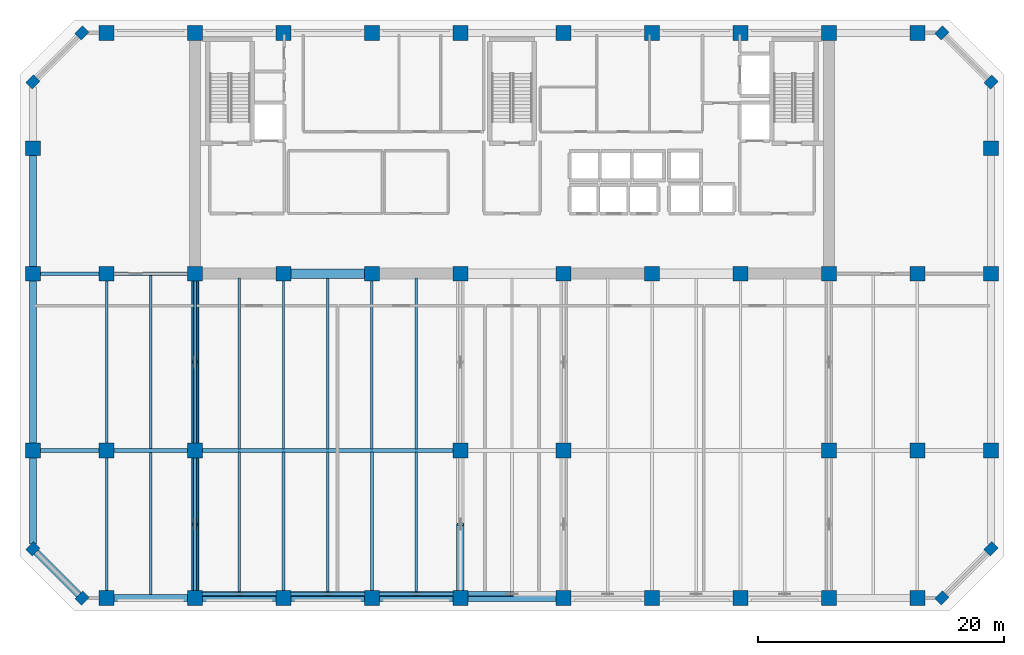
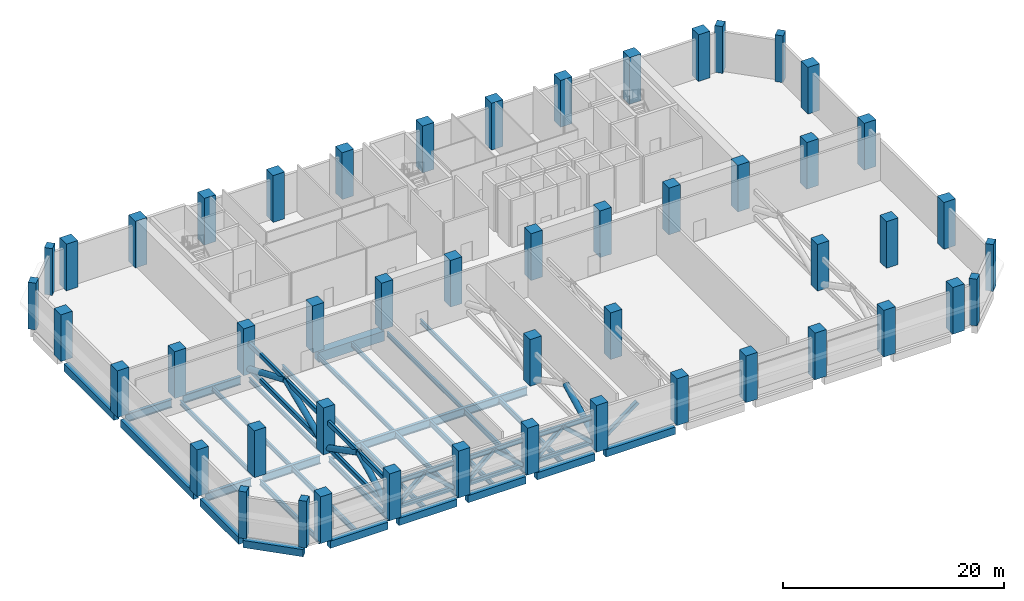
# One storey, part 1 of 13: 50 columns, 31 beams, 22 members.
"""IFC4 building model written with IfcOpenShell, lengths in metres."""

from ifc_helpers import new_model, si_unit, direction, frame, origin, origin_2d, place, context, subcontext, project, spatial, rectangle, hollow_rectangle, hollow_circle, i_section, extrude, material, material_profile, profile_set, type_object, element, save


model = new_model("IFC4")

# Units and contexts
model_context = context("Model", 3, precision=1e-05, world=origin(), true_north=direction((0.0, 1.0)))
body_context = subcontext(model_context, "Body", "Model", "MODEL_VIEW")
ifc_project = project(units=[si_unit("LENGTHUNIT", "METRE"), si_unit("AREAUNIT", "SQUARE_METRE"), si_unit("VOLUMEUNIT", "CUBIC_METRE"), si_unit("PLANEANGLEUNIT", "RADIAN"), si_unit("MASSUNIT", "GRAM", prefix="KILO")], contexts=[model_context])

# Site, building, storey
site_placement = place(None, origin())
site = spatial("IfcSite", under=ifc_project, at=site_placement, CompositionType="ELEMENT")
building_placement = place(site_placement, origin())
building = spatial("IfcBuilding", under=site, at=building_placement, Name="Kaelvorn Grand Hotel", CompositionType="ELEMENT")
storey_placement = place(building_placement, frame((0.0, 0.0, 184.75)))
storey = spatial("IfcBuildingStorey", under=building, at=storey_placement, Name="L45", CompositionType="ELEMENT", Elevation=184.75)

# Columns
ifc_material_1 = material(Name="Concrete C60/75", Category="concrete")
ifc_material_profile_1 = material_profile(ifc_material_1, rectangle(XDim=0.89990234375, YDim=0.75, at=origin_2d()), Name="RC PILASTER 900x750")
ifc_profile_set_1 = profile_set([ifc_material_profile_1], Name="Concrete C60/75")
column_type_1 = type_object("IfcColumnType", Name="COL-PIL-900x750-C60", PredefinedType="PILASTER", material=ifc_profile_set_1)
for number, where, z_axis, x_axis, name in (
    (1, (7.0, 3.0, 0.0), (0.0, 0.0, 1.0), (0.707106781187, 0.707106781187, 0.0), "L45 Structural Column CH-01"),
    (2, (77.0, 3.0, 0.0), (0.0, 0.0, 1.0), (0.707106781187, 0.707106781187, 0.0), "L45 Structural Column CH-02"),
    (3, (81.0, 7.0, 0.0), (0.0, 0.0, 1.0), (0.707106781187, 0.707106781187, 0.0), "L45 Structural Column CH-03"),
    (4, (81.0, 45.0, 0.0), (0.0, 0.0, 1.0), (0.707106781187, 0.707106781187, 0.0), "L45 Structural Column CH-04"),
    (5, (77.0, 49.0, 0.0), (0.0, 0.0, 1.0), (0.707106781187, 0.707106781187, 0.0), "L45 Structural Column CH-05"),
    (6, (7.0, 49.0, 0.0), (0.0, 0.0, 1.0), (0.707106781187, 0.707106781187, 0.0), "L45 Structural Column CH-06"),
    (7, (3.0, 45.0, 0.0), (0.0, 0.0, 1.0), (0.707106781187, 0.707106781187, 0.0), "L45 Structural Column CH-07"),
    (8, (3.0, 7.0, 0.0), (0.0, 0.0, 1.0), (0.707106781187, 0.707106781187, 0.0), "L45 Structural Column CH-08"),
):
    element("IfcColumn", number, at=place(storey_placement, frame(where, z_axis=z_axis, x_axis=x_axis)), inside=storey, type_object=column_type_1, Name=name, PredefinedType="PILASTER", context=body_context, shape_type="SweptSolid", body=[
        extrude(rectangle(XDim=0.89990234375, YDim=0.75, at=origin_2d()), origin(), (0.0, 0.0, 1.0), 5.159912109375),
    ])
ifc_material_profile_2 = material_profile(ifc_material_1, rectangle(XDim=1.199951171875, YDim=1.199951171875, at=origin_2d()), Name="RC COL 1200x1200")
ifc_profile_set_2 = profile_set([ifc_material_profile_2], Name="Concrete C60/75")
column_type_2 = type_object("IfcColumnType", Name="COL-RC-1200-C60", PredefinedType="COLUMN", material=ifc_profile_set_2)
for number, where, z_axis, x_axis, name in (
    (9, (9.0, 3.0, 0.0), (0.0, 0.0, 1.0), (1.0, 0.0, 0.0), "L45 Structural Column S-01"),
    (10, (16.199951171875, 3.0, 0.0), (0.0, 0.0, 1.0), (1.0, 0.0, 0.0), "L45 Structural Column S-02"),
    (11, (23.39990234375, 3.0, 0.0), (0.0, 0.0, 1.0), (1.0, 0.0, 0.0), "L45 Structural Column S-03"),
    (12, (30.60009765625, 3.0, 0.0), (0.0, 0.0, 1.0), (1.0, 0.0, 0.0), "L45 Structural Column S-04"),
    (13, (37.800048828125, 3.0, 0.0), (0.0, 0.0, 1.0), (1.0, 0.0, 0.0), "L45 Structural Column S-05"),
    (14, (46.199951171875, 3.0, 0.0), (0.0, 0.0, 1.0), (1.0, 0.0, 0.0), "L45 Structural Column S-06"),
    (15, (53.39990234375, 3.0, 0.0), (0.0, 0.0, 1.0), (1.0, 0.0, 0.0), "L45 Structural Column S-07"),
    (16, (60.60009765625, 3.0, 0.0), (0.0, 0.0, 1.0), (1.0, 0.0, 0.0), "L45 Structural Column S-08"),
    (17, (67.800048828125, 3.0, 0.0), (0.0, 0.0, 1.0), (1.0, 0.0, 0.0), "L45 Structural Column S-09"),
    (18, (75.0, 3.0, 0.0), (0.0, 0.0, 1.0), (1.0, 0.0, 0.0), "L45 Structural Column S-10"),
    (19, (3.0, 15.0, 0.0), (0.0, 0.0, 1.0), (1.0, 0.0, 0.0), "L45 Structural Column W-01"),
    (20, (81.0, 15.0, 0.0), (0.0, 0.0, 1.0), (1.0, 0.0, 0.0), "L45 Structural Column E-01"),
    (21, (3.0, 29.39990234375, 0.0), (0.0, 0.0, 1.0), (1.0, 0.0, 0.0), "L45 Structural Column W-02"),
    (22, (81.0, 29.39990234375, 0.0), (0.0, 0.0, 1.0), (1.0, 0.0, 0.0), "L45 Structural Column E-02"),
    (23, (3.0, 39.60009765625, 0.0), (0.0, 0.0, 1.0), (1.0, 0.0, 0.0), "L45 Structural Column W-03"),
    (24, (81.0, 39.60009765625, 0.0), (0.0, 0.0, 1.0), (1.0, 0.0, 0.0), "L45 Structural Column E-03"),
    (25, (9.0, 15.0, 0.0), (0.0, 0.0, 1.0), (1.0, 0.0, 0.0), "L45 Structural Column M-01"),
    (26, (16.199951171875, 15.0, 0.0), (0.0, 0.0, 1.0), (1.0, 0.0, 0.0), "L45 Structural Column M-02"),
    (27, (37.800048828125, 15.0, 0.0), (0.0, 0.0, 1.0), (1.0, 0.0, 0.0), "L45 Structural Column M-03"),
    (28, (46.199951171875, 15.0, 0.0), (0.0, 0.0, 1.0), (1.0, 0.0, 0.0), "L45 Structural Column M-04"),
    (29, (67.800048828125, 15.0, 0.0), (0.0, 0.0, 1.0), (1.0, 0.0, 0.0), "L45 Structural Column M-05"),
    (30, (75.0, 15.0, 0.0), (0.0, 0.0, 1.0), (1.0, 0.0, 0.0), "L45 Structural Column M-06"),
    (31, (9.0, 29.39990234375, 0.0), (0.0, 0.0, 1.0), (1.0, 0.0, 0.0), "L45 Structural Column CR1-01"),
    (32, (9.0, 49.0, 0.0), (0.0, 0.0, 1.0), (1.0, 0.0, 0.0), "L45 Structural Column CR2-01"),
    (33, (16.199951171875, 29.39990234375, 0.0), (0.0, 0.0, 1.0), (1.0, 0.0, 0.0), "L45 Structural Column CR1-02"),
    (34, (16.199951171875, 49.0, 0.0), (0.0, 0.0, 1.0), (1.0, 0.0, 0.0), "L45 Structural Column CR2-02"),
    (35, (23.39990234375, 29.39990234375, 0.0), (0.0, 0.0, 1.0), (1.0, 0.0, 0.0), "L45 Structural Column CR1-03"),
    (36, (23.39990234375, 49.0, 0.0), (0.0, 0.0, 1.0), (1.0, 0.0, 0.0), "L45 Structural Column CR2-03"),
    (37, (30.60009765625, 29.39990234375, 0.0), (0.0, 0.0, 1.0), (1.0, 0.0, 0.0), "L45 Structural Column CR1-04"),
    (38, (30.60009765625, 49.0, 0.0), (0.0, 0.0, 1.0), (1.0, 0.0, 0.0), "L45 Structural Column CR2-04"),
    (39, (37.800048828125, 29.39990234375, 0.0), (0.0, 0.0, 1.0), (1.0, 0.0, 0.0), "L45 Structural Column CR1-05"),
    (40, (37.800048828125, 49.0, 0.0), (0.0, 0.0, 1.0), (1.0, 0.0, 0.0), "L45 Structural Column CR2-05"),
    (41, (46.199951171875, 29.39990234375, 0.0), (0.0, 0.0, 1.0), (1.0, 0.0, 0.0), "L45 Structural Column CR1-06"),
    (42, (46.199951171875, 49.0, 0.0), (0.0, 0.0, 1.0), (1.0, 0.0, 0.0), "L45 Structural Column CR2-06"),
    (43, (53.39990234375, 29.39990234375, 0.0), (0.0, 0.0, 1.0), (1.0, 0.0, 0.0), "L45 Structural Column CR1-07"),
    (44, (53.39990234375, 49.0, 0.0), (0.0, 0.0, 1.0), (1.0, 0.0, 0.0), "L45 Structural Column CR2-07"),
    (45, (60.60009765625, 29.39990234375, 0.0), (0.0, 0.0, 1.0), (1.0, 0.0, 0.0), "L45 Structural Column CR1-08"),
    (46, (60.60009765625, 49.0, 0.0), (0.0, 0.0, 1.0), (1.0, 0.0, 0.0), "L45 Structural Column CR2-08"),
    (47, (67.800048828125, 29.39990234375, 0.0), (0.0, 0.0, 1.0), (1.0, 0.0, 0.0), "L45 Structural Column CR1-09"),
    (48, (67.800048828125, 49.0, 0.0), (0.0, 0.0, 1.0), (1.0, 0.0, 0.0), "L45 Structural Column CR2-09"),
    (49, (75.0, 29.39990234375, 0.0), (0.0, 0.0, 1.0), (1.0, 0.0, 0.0), "L45 Structural Column CR1-10"),
    (50, (75.0, 49.0, 0.0), (0.0, 0.0, 1.0), (1.0, 0.0, 0.0), "L45 Structural Column CR2-10"),
):
    element("IfcColumn", number, at=place(storey_placement, frame(where, z_axis=z_axis, x_axis=x_axis)), inside=storey, type_object=column_type_2, Name=name, PredefinedType="COLUMN", context=body_context, shape_type="SweptSolid", body=[
        extrude(rectangle(XDim=1.199951171875, YDim=1.199951171875, at=origin_2d()), origin(), (0.0, 0.0, 1.0), 5.159912109375),
    ])

# Beams
ifc_material_2 = material(Name="Steel S460", Category="steel")
ifc_material_profile_3 = material_profile(ifc_material_2, i_section(OverallWidth=0.302001953125, OverallDepth=0.909912109375, WebThickness=0.02099609375, FlangeThickness=0.0400390625, FilletRadius=0.030029296875, at=origin_2d()), Name="HEM 900")
ifc_profile_set_3 = profile_set([ifc_material_profile_3], Name="Steel S460")
beam_type_1 = type_object("IfcBeamType", Name="BM-G-HEM900-S460", PredefinedType="BEAM", material=ifc_profile_set_3)
beam_1_placement = place(storey_placement, frame((3.5849609375, 15.0, -0.804931640625), z_axis=(1.0, 0.0, 0.0), x_axis=(0.0, 1.0, 0.0)))
element("IfcBeam", 51, at=beam_1_placement, inside=storey, type_object=beam_type_1, Name="L45 Primary Spine Steel Girder G-15 01", PredefinedType="BEAM", context=body_context, shape_type="SweptSolid", body=[
    extrude(i_section(OverallWidth=0.302001953125, OverallDepth=0.909912109375, WebThickness=0.02099609375, FlangeThickness=0.0400390625, FilletRadius=0.030029296875, at=origin_2d()), origin(), (0.0, 0.0, 1.0), 4.830078125),
])
beam_2_placement = place(storey_placement, frame((9.5849609375, 15.0, -0.804931640625), z_axis=(1.0, 0.0, 0.0), x_axis=(0.0, 1.0, 0.0)))
element("IfcBeam", 52, at=beam_2_placement, inside=storey, type_object=beam_type_1, Name="L45 Primary Spine Steel Girder G-15 02", PredefinedType="BEAM", context=body_context, shape_type="SweptSolid", body=[
    extrude(i_section(OverallWidth=0.302001953125, OverallDepth=0.909912109375, WebThickness=0.02099609375, FlangeThickness=0.0400390625, FilletRadius=0.030029296875, at=origin_2d()), origin(), (0.0, 0.0, 1.0), 6.030029296875),
])
beam_3_placement = place(storey_placement, frame((16.784912109375, 15.0, -0.804931640625), z_axis=(1.0, 0.0, 0.0), x_axis=(0.0, 1.0, 0.0)))
element("IfcBeam", 53, at=beam_3_placement, inside=storey, type_object=beam_type_1, Name="L45 Primary Spine Steel Girder G-15 03", PredefinedType="BEAM", context=body_context, shape_type="SweptSolid", body=[
    extrude(i_section(OverallWidth=0.302001953125, OverallDepth=0.909912109375, WebThickness=0.02099609375, FlangeThickness=0.0400390625, FilletRadius=0.030029296875, at=origin_2d()), origin(), (0.0, 0.0, 1.0), 20.43017578125),
])
beam_4_placement = place(storey_placement, frame((3.5849609375, 29.39990234375, -0.804931640625), z_axis=(1.0, 0.0, 0.0), x_axis=(0.0, 1.0, 0.0)))
element("IfcBeam", 54, at=beam_4_placement, inside=storey, type_object=beam_type_1, Name="L45 West Core Wing Steel Girder G-29W 01", PredefinedType="BEAM", context=body_context, shape_type="SweptSolid", body=[
    extrude(i_section(OverallWidth=0.302001953125, OverallDepth=0.909912109375, WebThickness=0.02099609375, FlangeThickness=0.0400390625, FilletRadius=0.030029296875, at=origin_2d()), origin(), (0.0, 0.0, 1.0), 4.830078125),
])
beam_5_placement = place(storey_placement, frame((9.5849609375, 29.39990234375, -0.804931640625), z_axis=(1.0, 0.0, 0.0), x_axis=(0.0, 1.0, 0.0)))
element("IfcBeam", 55, at=beam_5_placement, inside=storey, type_object=beam_type_1, Name="L45 West Core Wing Steel Girder G-29W 02", PredefinedType="BEAM", context=body_context, shape_type="SweptSolid", body=[
    extrude(i_section(OverallWidth=0.302001953125, OverallDepth=0.909912109375, WebThickness=0.02099609375, FlangeThickness=0.0400390625, FilletRadius=0.030029296875, at=origin_2d()), origin(), (0.0, 0.0, 1.0), 6.030029296875),
])
ifc_material_3 = material(Name="Steel S355", Category="steel")
ifc_material_profile_4 = material_profile(ifc_material_3, i_section(OverallWidth=0.199951171875, OverallDepth=0.5, WebThickness=0.01025390625, FlangeThickness=0.01611328125, FilletRadius=0.02099609375, at=origin_2d()), Name="IPE 500")
ifc_profile_set_4 = profile_set([ifc_material_profile_4], Name="Steel S355")
beam_type_2 = type_object("IfcBeamType", Name="BM-J-IPE500-S355", PredefinedType="JOIST", material=ifc_profile_set_4)
beam_6_placement = place(storey_placement, frame((9.0, 15.5849609375, -0.60009765625), z_axis=(0.0, 1.0, 0.0), x_axis=(-1.0, 0.0, 0.0)))
element("IfcBeam", 56, at=beam_6_placement, inside=storey, type_object=beam_type_2, Name="L45 Composite Floor Joist JM-03", PredefinedType="JOIST", context=body_context, shape_type="SweptSolid", body=[
    extrude(i_section(OverallWidth=0.199951171875, OverallDepth=0.5, WebThickness=0.01025390625, FlangeThickness=0.01611328125, FilletRadius=0.02099609375, at=origin_2d()), origin(), (0.0, 0.0, 1.0), 13.22998046875),
])
beam_7_placement = place(storey_placement, frame((12.60009765625, 15.135986328125, -0.60009765625), z_axis=(0.0, 1.0, 0.0), x_axis=(-1.0, 0.0, 0.0)))
element("IfcBeam", 57, at=beam_7_placement, inside=storey, type_object=beam_type_2, Name="L45 Composite Floor Joist JM-04", PredefinedType="JOIST", context=body_context, shape_type="SweptSolid", body=[
    extrude(i_section(OverallWidth=0.199951171875, OverallDepth=0.5, WebThickness=0.01025390625, FlangeThickness=0.01611328125, FilletRadius=0.02099609375, at=origin_2d()), origin(), (0.0, 0.0, 1.0), 14.1279296875),
])
beam_8_placement = place(storey_placement, frame((16.199951171875, 15.5849609375, -0.60009765625), z_axis=(0.0, 1.0, 0.0), x_axis=(-1.0, 0.0, 0.0)))
element("IfcBeam", 58, at=beam_8_placement, inside=storey, type_object=beam_type_2, Name="L45 Composite Floor Joist JM-05", PredefinedType="JOIST", context=body_context, shape_type="SweptSolid", body=[
    extrude(i_section(OverallWidth=0.199951171875, OverallDepth=0.5, WebThickness=0.01025390625, FlangeThickness=0.01611328125, FilletRadius=0.02099609375, at=origin_2d()), origin(), (0.0, 0.0, 1.0), 13.22998046875),
])
beam_9_placement = place(storey_placement, frame((19.800048828125, 15.135986328125, -0.60009765625), z_axis=(0.0, 1.0, 0.0), x_axis=(-1.0, 0.0, 0.0)))
element("IfcBeam", 59, at=beam_9_placement, inside=storey, type_object=beam_type_2, Name="L45 Composite Floor Joist JM-06", PredefinedType="JOIST", context=body_context, shape_type="SweptSolid", body=[
    extrude(i_section(OverallWidth=0.199951171875, OverallDepth=0.5, WebThickness=0.01025390625, FlangeThickness=0.01611328125, FilletRadius=0.02099609375, at=origin_2d()), origin(), (0.0, 0.0, 1.0), 13.924072265625),
])
beam_10_placement = place(storey_placement, frame((23.39990234375, 15.135986328125, -0.60009765625), z_axis=(0.0, 1.0, 0.0), x_axis=(-1.0, 0.0, 0.0)))
element("IfcBeam", 60, at=beam_10_placement, inside=storey, type_object=beam_type_2, Name="L45 Composite Floor Joist JM-07", PredefinedType="JOIST", context=body_context, shape_type="SweptSolid", body=[
    extrude(i_section(OverallWidth=0.199951171875, OverallDepth=0.5, WebThickness=0.01025390625, FlangeThickness=0.01611328125, FilletRadius=0.02099609375, at=origin_2d()), origin(), (0.0, 0.0, 1.0), 13.678955078125),
])
beam_11_placement = place(storey_placement, frame((27.0, 15.135986328125, -0.60009765625), z_axis=(0.0, 1.0, 0.0), x_axis=(-1.0, 0.0, 0.0)))
element("IfcBeam", 61, at=beam_11_placement, inside=storey, type_object=beam_type_2, Name="L45 Composite Floor Joist JM-08", PredefinedType="JOIST", context=body_context, shape_type="SweptSolid", body=[
    extrude(i_section(OverallWidth=0.199951171875, OverallDepth=0.5, WebThickness=0.01025390625, FlangeThickness=0.01611328125, FilletRadius=0.02099609375, at=origin_2d()), origin(), (0.0, 0.0, 1.0), 13.924072265625),
])
beam_12_placement = place(storey_placement, frame((30.60009765625, 15.135986328125, -0.60009765625), z_axis=(0.0, 1.0, 0.0), x_axis=(-1.0, 0.0, 0.0)))
element("IfcBeam", 62, at=beam_12_placement, inside=storey, type_object=beam_type_2, Name="L45 Composite Floor Joist JM-09", PredefinedType="JOIST", context=body_context, shape_type="SweptSolid", body=[
    extrude(i_section(OverallWidth=0.199951171875, OverallDepth=0.5, WebThickness=0.01025390625, FlangeThickness=0.01611328125, FilletRadius=0.02099609375, at=origin_2d()), origin(), (0.0, 0.0, 1.0), 13.678955078125),
])
beam_13_placement = place(storey_placement, frame((34.199951171875, 15.135986328125, -0.60009765625), z_axis=(0.0, 1.0, 0.0), x_axis=(-1.0, 0.0, 0.0)))
element("IfcBeam", 63, at=beam_13_placement, inside=storey, type_object=beam_type_2, Name="L45 Composite Floor Joist JM-10", PredefinedType="JOIST", context=body_context, shape_type="SweptSolid", body=[
    extrude(i_section(OverallWidth=0.199951171875, OverallDepth=0.5, WebThickness=0.01025390625, FlangeThickness=0.01611328125, FilletRadius=0.02099609375, at=origin_2d()), origin(), (0.0, 0.0, 1.0), 13.924072265625),
])
ifc_material_profile_5 = material_profile(ifc_material_3, i_section(OverallWidth=0.219970703125, OverallDepth=0.60009765625, WebThickness=0.011962890625, FlangeThickness=0.01904296875, FilletRadius=0.02392578125, at=origin_2d()), Name="IPE 600")
ifc_profile_set_5 = profile_set([ifc_material_profile_5], Name="Steel S355")
beam_type_3 = type_object("IfcBeamType", Name="BM-J-IPE600-S355", PredefinedType="JOIST", material=ifc_profile_set_5)
beam_14_placement = place(storey_placement, frame((9.0, 3.5849609375, -0.64990234375), z_axis=(0.0, 1.0, 0.0), x_axis=(-1.0, 0.0, 0.0)))
element("IfcBeam", 64, at=beam_14_placement, inside=storey, type_object=beam_type_3, Name="L45 Composite Floor Joist JS-03", PredefinedType="JOIST", context=body_context, shape_type="SweptSolid", body=[
    extrude(i_section(OverallWidth=0.219970703125, OverallDepth=0.60009765625, WebThickness=0.011962890625, FlangeThickness=0.01904296875, FilletRadius=0.02392578125, at=origin_2d()), origin(), (0.0, 0.0, 1.0), 10.830078125),
])
beam_15_placement = place(storey_placement, frame((12.60009765625, 3.260009765625, -0.64990234375), z_axis=(0.0, 1.0, 0.0), x_axis=(-1.0, 0.0, 0.0)))
element("IfcBeam", 65, at=beam_15_placement, inside=storey, type_object=beam_type_3, Name="L45 Composite Floor Joist JS-04", PredefinedType="JOIST", context=body_context, shape_type="SweptSolid", body=[
    extrude(i_section(OverallWidth=0.219970703125, OverallDepth=0.60009765625, WebThickness=0.011962890625, FlangeThickness=0.01904296875, FilletRadius=0.02392578125, at=origin_2d()), origin(), (0.0, 0.0, 1.0), 11.60400390625),
])
beam_16_placement = place(storey_placement, frame((16.199951171875, 3.5849609375, -0.64990234375), z_axis=(0.0, 1.0, 0.0), x_axis=(-1.0, 0.0, 0.0)))
element("IfcBeam", 66, at=beam_16_placement, inside=storey, type_object=beam_type_3, Name="L45 Composite Floor Joist JS-05", PredefinedType="JOIST", context=body_context, shape_type="SweptSolid", body=[
    extrude(i_section(OverallWidth=0.219970703125, OverallDepth=0.60009765625, WebThickness=0.011962890625, FlangeThickness=0.01904296875, FilletRadius=0.02392578125, at=origin_2d()), origin(), (0.0, 0.0, 1.0), 10.830078125),
])
beam_17_placement = place(storey_placement, frame((19.800048828125, 3.260009765625, -0.64990234375), z_axis=(0.0, 1.0, 0.0), x_axis=(-1.0, 0.0, 0.0)))
element("IfcBeam", 67, at=beam_17_placement, inside=storey, type_object=beam_type_3, Name="L45 Composite Floor Joist JS-06", PredefinedType="JOIST", context=body_context, shape_type="SweptSolid", body=[
    extrude(i_section(OverallWidth=0.219970703125, OverallDepth=0.60009765625, WebThickness=0.011962890625, FlangeThickness=0.01904296875, FilletRadius=0.02392578125, at=origin_2d()), origin(), (0.0, 0.0, 1.0), 11.60400390625),
])
beam_18_placement = place(storey_placement, frame((23.39990234375, 3.5849609375, -0.64990234375), z_axis=(0.0, 1.0, 0.0), x_axis=(-1.0, 0.0, 0.0)))
element("IfcBeam", 68, at=beam_18_placement, inside=storey, type_object=beam_type_3, Name="L45 Composite Floor Joist JS-07", PredefinedType="JOIST", context=body_context, shape_type="SweptSolid", body=[
    extrude(i_section(OverallWidth=0.219970703125, OverallDepth=0.60009765625, WebThickness=0.011962890625, FlangeThickness=0.01904296875, FilletRadius=0.02392578125, at=origin_2d()), origin(), (0.0, 0.0, 1.0), 11.279052734375),
])
beam_19_placement = place(storey_placement, frame((27.0, 3.260009765625, -0.64990234375), z_axis=(0.0, 1.0, 0.0), x_axis=(-1.0, 0.0, 0.0)))
element("IfcBeam", 69, at=beam_19_placement, inside=storey, type_object=beam_type_3, Name="L45 Composite Floor Joist JS-08", PredefinedType="JOIST", context=body_context, shape_type="SweptSolid", body=[
    extrude(i_section(OverallWidth=0.219970703125, OverallDepth=0.60009765625, WebThickness=0.011962890625, FlangeThickness=0.01904296875, FilletRadius=0.02392578125, at=origin_2d()), origin(), (0.0, 0.0, 1.0), 11.60400390625),
])
beam_20_placement = place(storey_placement, frame((30.60009765625, 3.5849609375, -0.64990234375), z_axis=(0.0, 1.0, 0.0), x_axis=(-1.0, 0.0, 0.0)))
element("IfcBeam", 70, at=beam_20_placement, inside=storey, type_object=beam_type_3, Name="L45 Composite Floor Joist JS-09", PredefinedType="JOIST", context=body_context, shape_type="SweptSolid", body=[
    extrude(i_section(OverallWidth=0.219970703125, OverallDepth=0.60009765625, WebThickness=0.011962890625, FlangeThickness=0.01904296875, FilletRadius=0.02392578125, at=origin_2d()), origin(), (0.0, 0.0, 1.0), 11.279052734375),
])
beam_21_placement = place(storey_placement, frame((34.199951171875, 3.260009765625, -0.64990234375), z_axis=(0.0, 1.0, 0.0), x_axis=(-1.0, 0.0, 0.0)))
element("IfcBeam", 71, at=beam_21_placement, inside=storey, type_object=beam_type_3, Name="L45 Composite Floor Joist JS-10", PredefinedType="JOIST", context=body_context, shape_type="SweptSolid", body=[
    extrude(i_section(OverallWidth=0.219970703125, OverallDepth=0.60009765625, WebThickness=0.011962890625, FlangeThickness=0.01904296875, FilletRadius=0.02392578125, at=origin_2d()), origin(), (0.0, 0.0, 1.0), 11.60400390625),
])
ifc_material_profile_6 = material_profile(ifc_material_1, rectangle(XDim=0.800048828125, YDim=1.10009765625, at=origin_2d()), Name="RC LINTEL 800x1100")
ifc_profile_set_6 = profile_set([ifc_material_profile_6], Name="Concrete C60/75")
beam_type_4 = type_object("IfcBeamType", Name="BM-LIN-800x1100-C60", PredefinedType="LINTEL", material=ifc_profile_set_6)
beam_22_placement = place(storey_placement, frame((23.580078125, 29.39990234375, -0.89990234375), z_axis=(1.0, 0.0, 0.0), x_axis=(0.0, 1.0, 0.0)))
element("IfcBeam", 72, at=beam_22_placement, inside=storey, type_object=beam_type_4, Name="L45 Rear-Core Coupling Lintel Beam CB1-01", PredefinedType="LINTEL", context=body_context, shape_type="SweptSolid", body=[
    extrude(rectangle(XDim=0.800048828125, YDim=1.10009765625, at=origin_2d()), origin(), (0.0, 0.0, 1.0), 6.83984375),
])
ifc_material_4 = material(Name="Concrete C50/60", Category="concrete")
ifc_material_profile_7 = material_profile(ifc_material_4, rectangle(XDim=0.550048828125, YDim=0.800048828125, at=origin_2d()), Name="RC SPANDREL 550x800")
ifc_profile_set_7 = profile_set([ifc_material_profile_7], Name="Concrete C50/60")
beam_type_5 = type_object("IfcBeamType", Name="BM-SP-550x800-C50", PredefinedType="SPANDREL", material=ifc_profile_set_7)
for number, where, z_axis, x_axis, name in (
    (73, (9.5849609375, 3.0, -0.75), (1.0, 0.0, 0.0), (0.0, 1.0, 0.0), "L45 South Perimeter Spandrel 02"),
    (74, (16.784912109375, 3.0, -0.75), (1.0, 0.0, 0.0), (0.0, 1.0, 0.0), "L45 South Perimeter Spandrel 03"),
):
    element("IfcBeam", number, at=place(storey_placement, frame(where, z_axis=z_axis, x_axis=x_axis)), inside=storey, type_object=beam_type_5, Name=name, PredefinedType="SPANDREL", context=body_context, shape_type="SweptSolid", body=[
        extrude(rectangle(XDim=0.550048828125, YDim=0.800048828125, at=origin_2d()), origin(), (0.0, 0.0, 1.0), 6.030029296875),
    ])
beam_23_placement = place(storey_placement, frame((23.985107421875, 3.0, -0.75), z_axis=(1.0, 0.0, 0.0), x_axis=(0.0, 1.0, 0.0)))
element("IfcBeam", 75, at=beam_23_placement, inside=storey, type_object=beam_type_5, Name="L45 South Perimeter Spandrel 04", PredefinedType="SPANDREL", context=body_context, shape_type="SweptSolid", body=[
    extrude(rectangle(XDim=0.550048828125, YDim=0.800048828125, at=origin_2d()), origin(), (0.0, 0.0, 1.0), 6.02978515625),
])
beam_24_placement = place(storey_placement, frame((31.18505859375, 3.0, -0.75), z_axis=(1.0, 0.0, 0.0), x_axis=(0.0, 1.0, 0.0)))
element("IfcBeam", 76, at=beam_24_placement, inside=storey, type_object=beam_type_5, Name="L45 South Perimeter Spandrel 05", PredefinedType="SPANDREL", context=body_context, shape_type="SweptSolid", body=[
    extrude(rectangle(XDim=0.550048828125, YDim=0.800048828125, at=origin_2d()), origin(), (0.0, 0.0, 1.0), 6.030029296875),
])
beam_25_placement = place(storey_placement, frame((38.385009765625, 3.0, -0.75), z_axis=(1.0, 0.0, 0.0), x_axis=(0.0, 1.0, 0.0)))
element("IfcBeam", 77, at=beam_25_placement, inside=storey, type_object=beam_type_5, Name="L45 South Perimeter Spandrel 06", PredefinedType="SPANDREL", context=body_context, shape_type="SweptSolid", body=[
    extrude(rectangle(XDim=0.550048828125, YDim=0.800048828125, at=origin_2d()), origin(), (0.0, 0.0, 1.0), 7.22998046875),
])
beam_26_placement = place(storey_placement, frame((3.0, 7.405029296875, -0.75), z_axis=(0.0, 1.0, 0.0), x_axis=(-1.0, 0.0, 0.0)))
element("IfcBeam", 78, at=beam_26_placement, inside=storey, type_object=beam_type_5, Name="L45 West Perimeter Spandrel 01", PredefinedType="SPANDREL", context=body_context, shape_type="SweptSolid", body=[
    extrude(rectangle(XDim=0.550048828125, YDim=0.800048828125, at=origin_2d()), origin(), (0.0, 0.0, 1.0), 7.010009765625),
])
beam_27_placement = place(storey_placement, frame((3.0, 15.5849609375, -0.75), z_axis=(0.0, 1.0, 0.0), x_axis=(-1.0, 0.0, 0.0)))
element("IfcBeam", 79, at=beam_27_placement, inside=storey, type_object=beam_type_5, Name="L45 West Perimeter Spandrel 02", PredefinedType="SPANDREL", context=body_context, shape_type="SweptSolid", body=[
    extrude(rectangle(XDim=0.550048828125, YDim=0.800048828125, at=origin_2d()), origin(), (0.0, 0.0, 1.0), 13.22998046875),
])
beam_28_placement = place(storey_placement, frame((3.0, 29.985107421875, -0.75), z_axis=(0.0, 1.0, 0.0), x_axis=(-1.0, 0.0, 0.0)))
element("IfcBeam", 80, at=beam_28_placement, inside=storey, type_object=beam_type_5, Name="L45 West Perimeter Spandrel 03", PredefinedType="SPANDREL", context=body_context, shape_type="SweptSolid", body=[
    extrude(rectangle(XDim=0.550048828125, YDim=0.800048828125, at=origin_2d()), origin(), (0.0, 0.0, 1.0), 9.02978515625),
])
beam_29_placement = place(storey_placement, frame((3.0, 7.0, -0.75), z_axis=(0.707106781187, -0.707106781187, 0.0), x_axis=(0.707106781187, 0.707106781187, 0.0)))
element("IfcBeam", 81, at=beam_29_placement, inside=storey, type_object=beam_type_5, Name="L45 Chamfer Spandrel Beam 4", PredefinedType="SPANDREL", context=body_context, shape_type="SweptSolid", body=[
    extrude(rectangle(XDim=0.550048828125, YDim=0.800048828125, at=origin_2d()), origin(), (0.0, 0.0, 1.0), 5.65673828125),
])

# Members
ifc_material_profile_8 = material_profile(ifc_material_2, hollow_rectangle(XDim=0.39990234375, YDim=0.39990234375, WallThickness=0.02001953125, InnerFilletRadius=0.02001953125, OuterFilletRadius=0.0400390625, at=origin_2d()), Name="SHS 400x400x20.0")
ifc_profile_set_8 = profile_set([ifc_material_profile_8], Name="Steel S460")
member_type_1 = type_object("IfcMemberType", Name="MB-BT-BRACE-SHS400", PredefinedType="BRACE", material=ifc_profile_set_8)
for number, where, z_axis, x_axis, name in (
    (82, (16.715087890625, 3.340087890625, 0.550048828125), (0.740472811778, 0.0, 0.672086315154), (0.0, 1.0, 0.0), "L45 Belt Truss Brace L1"),
    (83, (19.800048828125, 3.340087890625, 3.35009765625), (0.740472811778, 0.0, -0.672086315154), (0.0, 1.0, 0.0), "L45 Belt Truss Brace R1"),
    (84, (23.9150390625, 3.340087890625, 0.550048828125), (0.740472811778, 0.0, 0.672086315154), (0.0, 1.0, 0.0), "L45 Belt Truss Brace L2"),
    (85, (27.0, 3.340087890625, 3.35009765625), (0.740472811778, 0.0, -0.672086315154), (0.0, 1.0, 0.0), "L45 Belt Truss Brace R2"),
    (86, (31.114990234375, 3.340087890625, 0.550048828125), (0.740472811778, 0.0, 0.672086315154), (0.0, 1.0, 0.0), "L45 Belt Truss Brace L3"),
    (87, (34.199951171875, 3.340087890625, 3.35009765625), (0.740472811778, 0.0, -0.672086315154), (0.0, 1.0, 0.0), "L45 Belt Truss Brace R3"),
):
    element("IfcMember", number, at=place(storey_placement, frame(where, z_axis=z_axis, x_axis=x_axis)), inside=storey, type_object=member_type_1, Name=name, PredefinedType="BRACE", context=body_context, shape_type="SweptSolid", body=[
        extrude(hollow_rectangle(XDim=0.39990234375, YDim=0.39990234375, WallThickness=0.02001953125, InnerFilletRadius=0.02001953125, OuterFilletRadius=0.0400390625, at=origin_2d()), origin(), (0.0, 0.0, 1.0), 4.166259765625),
    ])
member_1_placement = place(storey_placement, frame((38.31494140625, 3.340087890625, 0.550048828125), z_axis=(0.79622419649, 0.0, 0.605001676795), x_axis=(0.0, 1.0, 0.0)))
element("IfcMember", 88, at=member_1_placement, inside=storey, type_object=member_type_1, Name="L45 Belt Truss Brace L4", PredefinedType="BRACE", context=body_context, shape_type="SweptSolid", body=[
    extrude(hollow_rectangle(XDim=0.39990234375, YDim=0.39990234375, WallThickness=0.02001953125, InnerFilletRadius=0.02001953125, OuterFilletRadius=0.0400390625, at=origin_2d()), origin(), (0.0, 0.0, 1.0), 4.628173828125),
])
ifc_material_profile_9 = material_profile(ifc_material_2, hollow_circle(Radius=0.304931640625, WallThickness=0.030029296875, at=origin_2d()), Name="CHS 610.0x30.0")
ifc_profile_set_9 = profile_set([ifc_material_profile_9], Name="Steel S460")
member_type_2 = type_object("IfcMemberType", Name="MB-OR-BRACE-CHS610", PredefinedType="BRACE", material=ifc_profile_set_9)
for number, where, z_axis, x_axis, name in (
    (89, (16.199951171875, 3.5849609375, 0.550048828125), (0.0, 0.888273426352, 0.459315055313), (-1.0, 0.0, 0.0), "L45 Outrigger Brace Diagonal A1.1"),
    (90, (16.199951171875, 9.0, 3.35009765625), (0.0, 0.888273426352, -0.459315055313), (-1.0, 0.0, 0.0), "L45 Outrigger Brace Diagonal B1.1"),
):
    element("IfcMember", number, at=place(storey_placement, frame(where, z_axis=z_axis, x_axis=x_axis)), inside=storey, type_object=member_type_2, Name=name, PredefinedType="BRACE", context=body_context, shape_type="SweptSolid", body=[
        extrude(hollow_circle(Radius=0.304931640625, WallThickness=0.030029296875, at=origin_2d()), origin(), (0.0, 0.0, 1.0), 6.09619140625),
    ])
for number, where, z_axis, x_axis, name in (
    (91, (16.199951171875, 15.5849609375, 0.550048828125), (0.0, 0.9208973418, 0.389805189633), (-1.0, 0.0, 0.0), "L45 Outrigger Brace Diagonal A1.2"),
    (92, (16.199951171875, 22.199951171875, 3.35009765625), (0.0, 0.9208973418, -0.389805189633), (-1.0, 0.0, 0.0), "L45 Outrigger Brace Diagonal B1.2"),
):
    element("IfcMember", number, at=place(storey_placement, frame(where, z_axis=z_axis, x_axis=x_axis)), inside=storey, type_object=member_type_2, Name=name, PredefinedType="BRACE", context=body_context, shape_type="SweptSolid", body=[
        extrude(hollow_circle(Radius=0.304931640625, WallThickness=0.030029296875, at=origin_2d()), origin(), (0.0, 0.0, 1.0), 7.18310546875),
    ])
member_2_placement = place(storey_placement, frame((37.800048828125, 3.5849609375, 0.550048828125), z_axis=(0.0, 0.888273426352, 0.459315055313), x_axis=(-1.0, 0.0, 0.0)))
element("IfcMember", 93, at=member_2_placement, inside=storey, type_object=member_type_2, Name="L45 Outrigger Brace Diagonal A2.1", PredefinedType="BRACE", context=body_context, shape_type="SweptSolid", body=[
    extrude(hollow_circle(Radius=0.304931640625, WallThickness=0.030029296875, at=origin_2d()), origin(), (0.0, 0.0, 1.0), 6.09619140625),
])
ifc_material_profile_10 = material_profile(ifc_material_2, hollow_rectangle(XDim=0.300048828125, YDim=0.5, WallThickness=0.02001953125, InnerFilletRadius=0.02001953125, OuterFilletRadius=0.0400390625, at=origin_2d()), Name="RHS 500x300x20.0")
ifc_profile_set_10 = profile_set([ifc_material_profile_10], Name="Steel S460")
member_type_3 = type_object("IfcMemberType", Name="MB-OR-CHORD-RHS500", PredefinedType="CHORD", material=ifc_profile_set_10)
for number, where, z_axis, x_axis, name in (
    (94, (16.199951171875, 3.5849609375, 0.550048828125), (0.0, 1.0, 0.0), (-1.0, 0.0, 0.0), "L45 Outrigger Bottom Chord OC-1.1"),
    (95, (16.199951171875, 3.5849609375, 3.35009765625), (0.0, 1.0, 0.0), (-1.0, 0.0, 0.0), "L45 Outrigger Top Chord OC-1.1"),
):
    element("IfcMember", number, at=place(storey_placement, frame(where, z_axis=z_axis, x_axis=x_axis)), inside=storey, type_object=member_type_3, Name=name, PredefinedType="CHORD", context=body_context, shape_type="SweptSolid", body=[
        extrude(hollow_rectangle(XDim=0.300048828125, YDim=0.5, WallThickness=0.02001953125, InnerFilletRadius=0.02001953125, OuterFilletRadius=0.0400390625, at=origin_2d()), origin(), (0.0, 0.0, 1.0), 10.830078125),
    ])
for number, where, z_axis, x_axis, name in (
    (96, (16.199951171875, 15.5849609375, 0.550048828125), (0.0, 1.0, 0.0), (-1.0, 0.0, 0.0), "L45 Outrigger Bottom Chord OC-1.2"),
    (97, (16.199951171875, 15.5849609375, 3.35009765625), (0.0, 1.0, 0.0), (-1.0, 0.0, 0.0), "L45 Outrigger Top Chord OC-1.2"),
):
    element("IfcMember", number, at=place(storey_placement, frame(where, z_axis=z_axis, x_axis=x_axis)), inside=storey, type_object=member_type_3, Name=name, PredefinedType="CHORD", context=body_context, shape_type="SweptSolid", body=[
        extrude(hollow_rectangle(XDim=0.300048828125, YDim=0.5, WallThickness=0.02001953125, InnerFilletRadius=0.02001953125, OuterFilletRadius=0.0400390625, at=origin_2d()), origin(), (0.0, 0.0, 1.0), 13.22998046875),
    ])
for number, where, z_axis, x_axis, name in (
    (98, (16.715087890625, 3.340087890625, 0.550048828125), (1.0, 0.0, 0.0), (0.0, 1.0, 0.0), "L45 Belt Truss Bottom Chord 1"),
    (99, (16.715087890625, 3.340087890625, 3.35009765625), (1.0, 0.0, 0.0), (0.0, 1.0, 0.0), "L45 Belt Truss Top Chord 1"),
    (100, (23.9150390625, 3.340087890625, 0.550048828125), (1.0, 0.0, 0.0), (0.0, 1.0, 0.0), "L45 Belt Truss Bottom Chord 2"),
    (101, (23.9150390625, 3.340087890625, 3.35009765625), (1.0, 0.0, 0.0), (0.0, 1.0, 0.0), "L45 Belt Truss Top Chord 2"),
    (102, (31.114990234375, 3.340087890625, 0.550048828125), (1.0, 0.0, 0.0), (0.0, 1.0, 0.0), "L45 Belt Truss Bottom Chord 3"),
    (103, (31.114990234375, 3.340087890625, 3.35009765625), (1.0, 0.0, 0.0), (0.0, 1.0, 0.0), "L45 Belt Truss Top Chord 3"),
):
    element("IfcMember", number, at=place(storey_placement, frame(where, z_axis=z_axis, x_axis=x_axis)), inside=storey, type_object=member_type_3, Name=name, PredefinedType="CHORD", context=body_context, shape_type="SweptSolid", body=[
        extrude(hollow_rectangle(XDim=0.300048828125, YDim=0.5, WallThickness=0.02001953125, InnerFilletRadius=0.02001953125, OuterFilletRadius=0.0400390625, at=origin_2d()), origin(), (0.0, 0.0, 1.0), 6.169921875),
    ])

save(model, "model.ifc")
